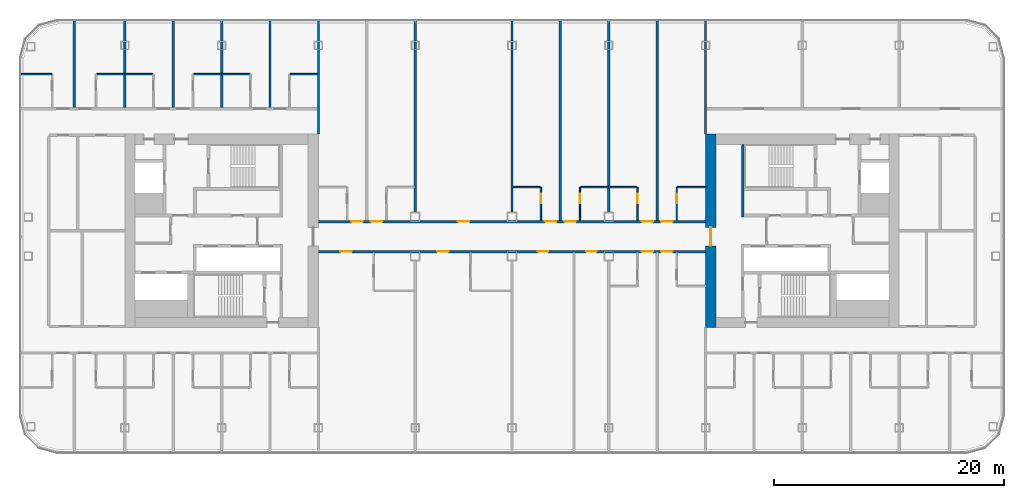
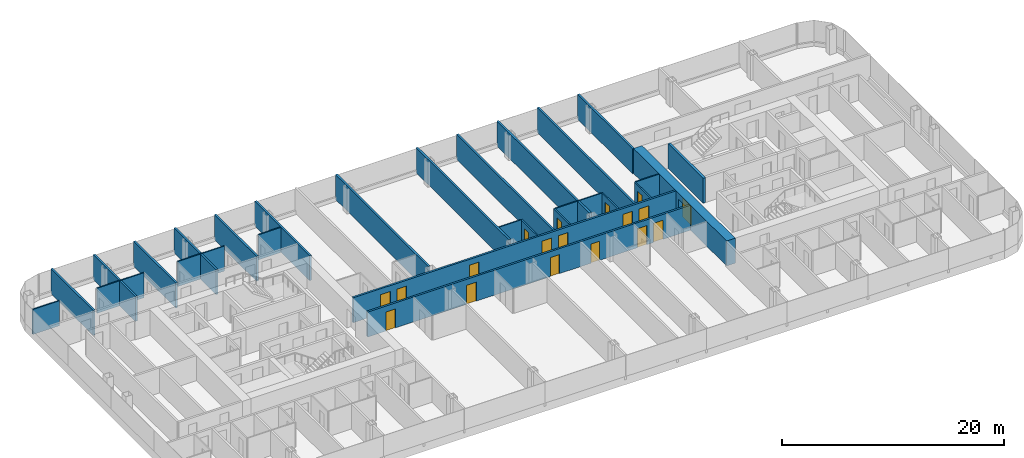
# One storey, part 15 of 26: 27 walls, 18 doors, 18 openings.
"""IFC4 building model written with IfcOpenShell, lengths in metres."""

import ifcopenshell
import ifcopenshell.guid

model = None  # the IFC model being written
_history = None  # IfcOwnerHistory: only IFC2X3 demands one
_inside = {}  # id of a spatial element -> (the spatial element, [elements in it])
_under = {}  # id of a project, library or spatial element -> (it, [spatial elements below it])
_declared = {}  # id of a project -> (the project, [libraries it declares])
_typed = {}  # id of a type object -> (the type object, [elements of that type])
_made_of = {}  # id of a material, layer set ... -> (it, [elements and type objects made of it])


def new_model(schema):
    """Start an empty IFC model of exactly this schema.

    Asked for "IFC4X3", IfcOpenShell would pick the latest addendum, in which some entities
    have other attributes; the version numbers below select the first issue.
    IFC2X3 requires an IfcOwnerHistory on every rooted entity: one is made here for all.
    """
    global model, _history
    if schema == "IFC4X3":
        model = ifcopenshell.file(schema_version=(4, 3, 0, 0))
    else:
        model = ifcopenshell.file(schema=schema)
    _inside.clear()
    _under.clear()
    _declared.clear()
    _typed.clear()
    _made_of.clear()
    _history = None
    if model.schema == "IFC2X3":
        org = make("IfcOrganization", Name="unknown")
        user = make(
            "IfcPersonAndOrganization",
            ThePerson=make("IfcPerson", FamilyName="unknown"),
            TheOrganization=org,
        )
        app = make(
            "IfcApplication",
            ApplicationDeveloper=org,
            Version="unknown",
            ApplicationFullName="unknown",
            ApplicationIdentifier="unknown",
        )
        _history = make(
            "IfcOwnerHistory",
            OwningUser=user,
            OwningApplication=app,
            ChangeAction="ADDED",
            CreationDate=0,
        )
    return model


def make(cls, **values):
    """One entity of the class cls with the attributes given. An attribute that is None is left unset."""
    return model.create_entity(
        cls, **{name: value for name, value in values.items() if value is not None}
    )


def rooted(cls, **values):
    """An entity with a GlobalId (a new one), such as an element, a storey or a relation."""
    return make(cls, GlobalId=ifcopenshell.guid.new(), OwnerHistory=_history, **values)


def si_unit(unit_type, name, prefix=None):
    """IfcSIUnit, for example si_unit("LENGTHUNIT", "METRE", prefix="MILLI")."""
    return make("IfcSIUnit", UnitType=unit_type, Prefix=prefix, Name=name)


def assignment(units):
    """IfcUnitAssignment: the units of a project."""
    return None if units is None else make("IfcUnitAssignment", Units=units)


def point(xyz):
    """IfcCartesianPoint."""
    return None if xyz is None else make("IfcCartesianPoint", Coordinates=xyz)


def direction(xyz):
    """IfcDirection."""
    return None if xyz is None else make("IfcDirection", DirectionRatios=xyz)


def frame(location, z_axis=None, x_axis=None):
    """IfcAxis2Placement3D, a coordinate frame: its origin and axes. An axis left out is left unset."""
    return make(
        "IfcAxis2Placement3D",
        Location=point(location),
        Axis=direction(z_axis),
        RefDirection=direction(x_axis),
    )


def frame_2d(location, x_axis=None):
    """IfcAxis2Placement2D, a coordinate frame in the plane: its origin and x axis."""
    return make(
        "IfcAxis2Placement2D", Location=point(location), RefDirection=direction(x_axis)
    )


def origin():
    """The frame at (0, 0, 0) with its axes left unset."""
    return frame((0.0, 0.0, 0.0))


def place(relative_to, where):
    """IfcLocalPlacement: puts the frame where relative to a parent placement (None: the world)."""
    return make(
        "IfcLocalPlacement", PlacementRelTo=relative_to, RelativePlacement=where
    )


def context(
    kind, dimensions, precision=None, world=None, true_north=None, identifier=None
):
    """IfcGeometricRepresentationContext, for example the 3D "Model" context."""
    return make(
        "IfcGeometricRepresentationContext",
        ContextIdentifier=identifier,
        ContextType=kind,
        CoordinateSpaceDimension=dimensions,
        Precision=precision,
        WorldCoordinateSystem=world,
        TrueNorth=true_north,
    )


def subcontext(parent, identifier, kind, view, scale=None):
    """IfcGeometricRepresentationSubContext, for example "Body" below "Model"."""
    return make(
        "IfcGeometricRepresentationSubContext",
        ContextIdentifier=identifier,
        ContextType=kind,
        ParentContext=parent,
        TargetScale=scale,
        TargetView=view,
    )


def project(units=None, contexts=None):
    """IfcProject with its units and contexts."""
    return rooted(
        "IfcProject",
        Name="project",
        RepresentationContexts=contexts,
        UnitsInContext=assignment(units),
    )


def spatial(cls, under=None, at=None, **own):
    """A site, building, storey or space (cls), placed at a placement, below another one or the project."""
    s = rooted(cls, ObjectPlacement=at, **own)
    if under is not None:
        _under.setdefault(under.id(), (under, []))[1].append(s)
    return s


def profile(cls, at=None, kind="AREA", **sizes):
    """A parametric profile (cls). Its sizes go by their IFC names, for example OverallWidth=200.0."""
    return make(cls, ProfileType=kind, Position=at, **sizes)


def rectangle(**sizes):
    """IfcRectangleProfileDef."""
    return profile("IfcRectangleProfileDef", **sizes)


def extrude(swept, where, along, depth):
    """IfcExtrudedAreaSolid: the profile swept, set in the frame where, extruded along a direction by depth."""
    return make(
        "IfcExtrudedAreaSolid",
        SweptArea=swept,
        Position=where,
        ExtrudedDirection=direction(along),
        Depth=depth,
    )


def shape(context_of_items, identifier, shape_type, items):
    """IfcShapeRepresentation: the items that make up one representation, for example the "Body"."""
    return make(
        "IfcShapeRepresentation",
        ContextOfItems=context_of_items,
        RepresentationIdentifier=identifier,
        RepresentationType=shape_type,
        Items=items,
    )


def material(Name=None, Category=None):
    """IfcMaterial."""
    return make("IfcMaterial", Name=Name, Category=Category)


def layer(
    of_material, thickness, ventilated=None, Name=None, Category=None, Priority=None
):
    """IfcMaterialLayer: one layer of a wall or slab, of a material (None: an air gap)."""
    return make(
        "IfcMaterialLayer",
        Material=of_material,
        LayerThickness=thickness,
        IsVentilated=ventilated,
        Name=Name,
        Category=Category,
        Priority=Priority,
    )


def layer_set(layers, Name=None):
    """IfcMaterialLayerSet."""
    return make("IfcMaterialLayerSet", MaterialLayers=layers, LayerSetName=Name)


def made_of(thing, what):
    """Note that an element or type object is made of a material, layer set ...; save() writes the relation."""
    if what is not None:
        _made_of.setdefault(what.id(), (what, []))[1].append(thing)
    return thing


def type_object(cls, material=None, **own):
    """A type object (cls), such as IfcWallType, which elements share."""
    return made_of(rooted(cls, **own), material)


def element(
    cls,
    number,
    at=None,
    inside=None,
    cuts=None,
    type_object=None,
    material=None,
    context=None,
    identifier="Body",
    shape_type=None,
    held_by="IfcProductDefinitionShape",
    body=None,
    shapes=None,
    **own,
):
    """One element of the class cls, such as IfcWall. Its Tag is "e" and its number.

    at: its placement. inside: the storey or other place that contains it. cuts: it is an
    opening in that element (IfcRelVoidsElement). A single representation is given by context,
    identifier, shape_type and body (its items); several are given by shapes. held_by: the class
    of the entity that holds the representations. save() writes the other relations.
    """
    e = rooted(cls, Tag="e%d" % number, ObjectPlacement=at, **own)
    if body is not None:
        shapes = [shape(context, identifier, shape_type, body)]
    if shapes is not None:
        e.Representation = make(held_by, Representations=shapes)
    if inside is not None:
        _inside.setdefault(inside.id(), (inside, []))[1].append(e)
    if cuts is not None:
        rooted(
            "IfcRelVoidsElement", RelatingBuildingElement=cuts, RelatedOpeningElement=e
        )
    if type_object is not None:
        _typed.setdefault(type_object.id(), (type_object, []))[1].append(e)
    return made_of(e, material)


def fill(opening, filler):
    """IfcRelFillsElement: the door or window that sits in an opening."""
    return rooted(
        "IfcRelFillsElement",
        RelatingOpeningElement=opening,
        RelatedBuildingElement=filler,
    )


def aggregate(whole, parts):
    """IfcRelAggregates: a whole, such as a stair, and the parts it consists of."""
    return rooted("IfcRelAggregates", RelatingObject=whole, RelatedObjects=parts)


def save(model, path):
    """Write the relations noted so far, then the file.

    IfcRelAggregates (storeys below a building ...), IfcRelContainedInSpatialStructure (elements
    in a storey), IfcRelDefinesByType, IfcRelAssociatesMaterial and IfcRelDeclares: one each for
    every whole, place, type object, material and project.
    """
    for whole, parts in _under.values():
        aggregate(whole, parts)
    for where, things in _inside.values():
        rooted(
            "IfcRelContainedInSpatialStructure",
            RelatedElements=things,
            RelatingStructure=where,
        )
    for kind, things in _typed.values():
        rooted("IfcRelDefinesByType", RelatedObjects=things, RelatingType=kind)
    for what, things in _made_of.values():
        rooted("IfcRelAssociatesMaterial", RelatedObjects=things, RelatingMaterial=what)
    for by, libraries in _declared.values():
        rooted("IfcRelDeclares", RelatingContext=by, RelatedDefinitions=libraries)
    model.write(path)


model = new_model("IFC4")

# Units and contexts
model_context = context("Model", 3, precision=1e-05, world=origin(), true_north=direction((0.0, 1.0)))
body_context = subcontext(model_context, "Body", "Model", "MODEL_VIEW")
ifc_project = project(units=[si_unit("LENGTHUNIT", "METRE"), si_unit("AREAUNIT", "SQUARE_METRE"), si_unit("VOLUMEUNIT", "CUBIC_METRE"), si_unit("PLANEANGLEUNIT", "RADIAN"), si_unit("MASSUNIT", "GRAM", prefix="KILO")], contexts=[model_context])

# Site, building, storey
site_placement = place(None, origin())
site = spatial("IfcSite", under=ifc_project, at=site_placement, CompositionType="ELEMENT")
building_placement = place(site_placement, origin())
building = spatial("IfcBuilding", under=site, at=building_placement, Name="Hakoniwa Tower and Hamabe Station Hall", CompositionType="ELEMENT")
storey_placement = place(building_placement, frame((0.0, 0.0, 134.199951171875)))
storey = spatial("IfcBuildingStorey", under=building, at=storey_placement, Name="L37", CompositionType="ELEMENT", Elevation=134.199951171875)

# Walls
ifc_material_1 = material(Name="Gypsum board partition", Category="gypsum")
ifc_layer_1 = layer(ifc_material_1, 0.125)
ifc_layer_set_1 = layer_set([ifc_layer_1], Name="Bathroom Partition 125")
wall_type_1 = type_object("IfcWallType", Name="Bathroom Partition 125", PredefinedType="PARTITIONING", material=ifc_layer_set_1)
wall_1_placement = place(storey_placement, frame((0.10009765625, 3.800048828125, 0.0), z_axis=(0.0, 0.0, 1.0), x_axis=(1.0, 0.0, 0.0)))
element("IfcWall", 1, at=wall_1_placement, inside=storey, type_object=wall_type_1, Name="GW-L37-023", PredefinedType="PARTITIONING", context=body_context, shape_type="SweptSolid", body=[
    extrude(rectangle(XDim=2.33740234375, YDim=0.125, at=frame_2d((1.168701171875, 0.0))), origin(), (0.0, 0.0, 1.0), 2.75),
])
wall_2_placement = place(storey_placement, frame((5.96240234375, 3.800048828125, 0.0), z_axis=(0.0, 0.0, 1.0), x_axis=(1.0, 0.0, 0.0)))
element("IfcWall", 2, at=wall_2_placement, inside=storey, type_object=wall_type_1, Name="GW-L37-024", PredefinedType="PARTITIONING", context=body_context, shape_type="SweptSolid", body=[
    extrude(rectangle(XDim=4.875, YDim=0.125, at=frame_2d((2.4375, 0.0))), origin(), (0.0, 0.0, 1.0), 2.75),
])
wall_3_placement = place(storey_placement, frame((14.362548828125, 3.800048828125, 0.0), z_axis=(0.0, 0.0, 1.0), x_axis=(1.0, 0.0, 0.0)))
element("IfcWall", 3, at=wall_3_placement, inside=storey, type_object=wall_type_1, Name="GW-L37-025", PredefinedType="PARTITIONING", context=body_context, shape_type="SweptSolid", body=[
    extrude(rectangle(XDim=2.447509765625, YDim=0.125, at=frame_2d((1.2236328125, 0.0))), origin(), (0.0, 0.0, 1.0), 2.75),
])
wall_4_placement = place(storey_placement, frame((-42.699951171875, 13.60009765625, 0.0), z_axis=(0.0, 0.0, 1.0), x_axis=(1.0, 0.0, 0.0)))
element("IfcWall", 4, at=wall_4_placement, inside=storey, type_object=wall_type_1, Name="GW-L37-030", PredefinedType="PARTITIONING", context=body_context, shape_type="SweptSolid", body=[
    extrude(rectangle(XDim=2.737548828125, YDim=0.125, at=frame_2d((1.36865234375, 0.0))), origin(), (0.0, 0.0, 1.0), 2.75),
])
for number, where, z_axis, x_axis, name in (
    (5, (-36.03759765625, 13.60009765625, 0.0), (0.0, 0.0, 1.0), (1.0, 0.0, 0.0), "GW-L37-031"),
    (6, (-27.637451171875, 13.60009765625, 0.0), (0.0, 0.0, 1.0), (1.0, 0.0, 0.0), "GW-L37-032"),
):
    element("IfcWall", number, at=place(storey_placement, frame(where, z_axis=z_axis, x_axis=x_axis)), inside=storey, type_object=wall_type_1, Name=name, PredefinedType="PARTITIONING", context=body_context, shape_type="SweptSolid", body=[
        extrude(rectangle(XDim=4.875, YDim=0.125, at=frame_2d((2.4375, 0.0))), origin(), (0.0, 0.0, 1.0), 2.75),
    ])
wall_5_placement = place(storey_placement, frame((-19.237548828125, 13.60009765625, 0.0), z_axis=(0.0, 0.0, 1.0), x_axis=(1.0, 0.0, 0.0)))
element("IfcWall", 7, at=wall_5_placement, inside=storey, type_object=wall_type_1, Name="GW-L37-033", PredefinedType="PARTITIONING", context=body_context, shape_type="SweptSolid", body=[
    extrude(rectangle(XDim=2.337646484375, YDim=0.125, at=frame_2d((1.1689453125, 0.0))), origin(), (0.0, 0.0, 1.0), 2.75),
])

# Wall, opening, door
wall_6_placement = place(storey_placement, frame((2.5, 0.89990234375, 0.0), z_axis=(0.0, 0.0, 1.0), x_axis=(0.0, 1.0, 0.0)))
wall_6 = element("IfcWall", 8, at=wall_6_placement, inside=storey, type_object=wall_type_1, Name="GW-L37-070", PredefinedType="PARTITIONING", context=body_context, shape_type="SweptSolid", body=[
    extrude(rectangle(XDim=2.900146484375, YDim=0.125, at=frame_2d((1.4501953125, 0.0))), origin(), (0.0, 0.0, 1.0), 2.75),
])
opening_1_placement = place(wall_6_placement, frame((1.5, 0.0, 0.0)))
opening_1 = element("IfcOpeningElement", 9, at=opening_1_placement, cuts=wall_6, Name="Opening GD-G3B0-59", PredefinedType="OPENING", context=body_context, shape_type="SweptSolid", body=[
    extrude(rectangle(XDim=0.800048828125, YDim=2.10009765625, at=frame_2d((0.39990234375, 1.050048828125))), frame((0.0, 0.072509765625, 0.0), z_axis=(0.0, -1.0, 0.0), x_axis=(1.0, 0.0, 0.0)), (0.0, 0.0, 1.0), 0.14501953125),
])
ifc_material_2 = material(Name="Timber door leaf", Category="wood")
door_type_1 = type_object("IfcDoorType", Name="Bathroom Door 800", OperationType="SINGLE_SWING_LEFT", PredefinedType="DOOR", material=ifc_material_2)
door_1_placement = place(opening_1_placement, origin())
door_1 = element("IfcDoor", 10, at=door_1_placement, inside=storey, type_object=door_type_1, Name="Door GD-G3B0-59", OperationType="SINGLE_SWING_LEFT", OverallHeight=2.10009765625, OverallWidth=0.800048828125, PredefinedType="DOOR", context=body_context, shape_type="SweptSolid", body=[
    extrude(rectangle(XDim=0.800048828125, YDim=2.10009765625, at=frame_2d((0.39990234375, 1.050048828125))), frame((0.0, 0.02490234375, 0.0), z_axis=(0.0, -1.0, 0.0), x_axis=(1.0, 0.0, 0.0)), (0.0, 0.0, 1.0), 0.050048828125),
])
fill(opening_1, door_1)

wall_7_placement = place(storey_placement, frame((5.89990234375, 0.89990234375, 0.0), z_axis=(0.0, 0.0, 1.0), x_axis=(0.0, 1.0, 0.0)))
wall_7 = element("IfcWall", 11, at=wall_7_placement, inside=storey, type_object=wall_type_1, Name="GW-L37-073", PredefinedType="PARTITIONING", context=body_context, shape_type="SweptSolid", body=[
    extrude(rectangle(XDim=2.900146484375, YDim=0.125, at=frame_2d((1.4501953125, 0.0))), origin(), (0.0, 0.0, 1.0), 2.75),
])
opening_2_placement = place(wall_7_placement, frame((1.5, 0.0, 0.0)))
opening_2 = element("IfcOpeningElement", 12, at=opening_2_placement, cuts=wall_7, Name="Opening GD-G3B0-60", PredefinedType="OPENING", context=body_context, shape_type="SweptSolid", body=[
    extrude(rectangle(XDim=0.800048828125, YDim=2.10009765625, at=frame_2d((0.39990234375, 1.050048828125))), frame((0.0, 0.072509765625, 0.0), z_axis=(0.0, -1.0, 0.0), x_axis=(1.0, 0.0, 0.0)), (0.0, 0.0, 1.0), 0.14501953125),
])
door_2_placement = place(opening_2_placement, origin())
door_2 = element("IfcDoor", 13, at=door_2_placement, inside=storey, type_object=door_type_1, Name="Door GD-G3B0-60", OperationType="SINGLE_SWING_RIGHT", OverallHeight=2.10009765625, OverallWidth=0.800048828125, PredefinedType="DOOR", context=body_context, shape_type="SweptSolid", body=[
    extrude(rectangle(XDim=0.800048828125, YDim=2.10009765625, at=frame_2d((0.39990234375, 1.050048828125))), frame((0.0, 0.02490234375, 0.0), z_axis=(0.0, -1.0, 0.0), x_axis=(1.0, 0.0, 0.0)), (0.0, 0.0, 1.0), 0.050048828125),
])
fill(opening_2, door_2)

wall_8_placement = place(storey_placement, frame((10.89990234375, 0.89990234375, 0.0), z_axis=(0.0, 0.0, 1.0), x_axis=(0.0, 1.0, 0.0)))
wall_8 = element("IfcWall", 14, at=wall_8_placement, inside=storey, type_object=wall_type_1, Name="GW-L37-077", PredefinedType="PARTITIONING", context=body_context, shape_type="SweptSolid", body=[
    extrude(rectangle(XDim=2.900146484375, YDim=0.125, at=frame_2d((1.4501953125, 0.0))), origin(), (0.0, 0.0, 1.0), 2.75),
])
opening_3_placement = place(wall_8_placement, frame((1.5, 0.0, 0.0)))
opening_3 = element("IfcOpeningElement", 15, at=opening_3_placement, cuts=wall_8, Name="Opening GD-G3B0-62", PredefinedType="OPENING", context=body_context, shape_type="SweptSolid", body=[
    extrude(rectangle(XDim=0.800048828125, YDim=2.10009765625, at=frame_2d((0.39990234375, 1.050048828125))), frame((0.0, 0.072509765625, 0.0), z_axis=(0.0, -1.0, 0.0), x_axis=(1.0, 0.0, 0.0)), (0.0, 0.0, 1.0), 0.14501953125),
])
door_3_placement = place(opening_3_placement, origin())
door_3 = element("IfcDoor", 16, at=door_3_placement, inside=storey, type_object=door_type_1, Name="Door GD-G3B0-62", OperationType="SINGLE_SWING_LEFT", OverallHeight=2.10009765625, OverallWidth=0.800048828125, PredefinedType="DOOR", context=body_context, shape_type="SweptSolid", body=[
    extrude(rectangle(XDim=0.800048828125, YDim=2.10009765625, at=frame_2d((0.39990234375, 1.050048828125))), frame((0.0, 0.02490234375, 0.0), z_axis=(0.0, -1.0, 0.0), x_axis=(1.0, 0.0, 0.0)), (0.0, 0.0, 1.0), 0.050048828125),
])
fill(opening_3, door_3)

wall_9_placement = place(storey_placement, frame((14.300048828125, 0.89990234375, 0.0), z_axis=(0.0, 0.0, 1.0), x_axis=(0.0, 1.0, 0.0)))
wall_9 = element("IfcWall", 17, at=wall_9_placement, inside=storey, type_object=wall_type_1, Name="GW-L37-081", PredefinedType="PARTITIONING", context=body_context, shape_type="SweptSolid", body=[
    extrude(rectangle(XDim=2.900146484375, YDim=0.125, at=frame_2d((1.4501953125, 0.0))), origin(), (0.0, 0.0, 1.0), 2.75),
])
opening_4_placement = place(wall_9_placement, frame((1.5, 0.0, 0.0)))
opening_4 = element("IfcOpeningElement", 18, at=opening_4_placement, cuts=wall_9, Name="Opening GD-G3B0-64", PredefinedType="OPENING", context=body_context, shape_type="SweptSolid", body=[
    extrude(rectangle(XDim=0.800048828125, YDim=2.10009765625, at=frame_2d((0.39990234375, 1.050048828125))), frame((0.0, 0.072509765625, 0.0), z_axis=(0.0, -1.0, 0.0), x_axis=(1.0, 0.0, 0.0)), (0.0, 0.0, 1.0), 0.14501953125),
])
door_4_placement = place(opening_4_placement, origin())
door_4 = element("IfcDoor", 19, at=door_4_placement, inside=storey, type_object=door_type_1, Name="Door GD-G3B0-64", OperationType="SINGLE_SWING_RIGHT", OverallHeight=2.10009765625, OverallWidth=0.800048828125, PredefinedType="DOOR", context=body_context, shape_type="SweptSolid", body=[
    extrude(rectangle(XDim=0.800048828125, YDim=2.10009765625, at=frame_2d((0.39990234375, 1.050048828125))), frame((0.0, 0.02490234375, 0.0), z_axis=(0.0, -1.0, 0.0), x_axis=(1.0, 0.0, 0.0)), (0.0, 0.0, 1.0), 0.050048828125),
])
fill(opening_4, door_4)

ifc_material_3 = material(Name="Concrete C66", Category="concrete")
ifc_layer_2 = layer(ifc_material_3, 0.89990234375)
ifc_layer_set_2 = layer_set([ifc_layer_2], Name="CORE WALL 900 C66")
wall_type_2 = type_object("IfcWallType", Name="CORE WALL 900 C66", PredefinedType="SHEAR", material=ifc_layer_set_2)
wall_10_placement = place(storey_placement, frame((17.25, -8.39990234375, 0.0), z_axis=(0.0, 0.0, 1.0), x_axis=(0.0, 1.0, 0.0)))
wall_10 = element("IfcWall", 20, at=wall_10_placement, inside=storey, type_object=wall_type_2, Name="Core wall INNER east", PredefinedType="SHEAR", context=body_context, shape_type="SweptSolid", body=[
    extrude(rectangle(XDim=16.7998046875, YDim=0.89990234375, at=frame_2d((8.39990234375, 0.0))), origin(), (0.0, 0.0, 1.0), 2.75),
])
opening_5_placement = place(wall_10_placement, frame((7.10009765625, 0.0, 0.0)))
opening_5 = element("IfcOpeningElement", 21, at=opening_5_placement, cuts=wall_10, Name="Opening CD-E-IN1-16", PredefinedType="OPENING", context=body_context, shape_type="SweptSolid", body=[
    extrude(rectangle(XDim=1.60009765625, YDim=2.10009765625, at=frame_2d((0.800048828125, 1.050048828125))), frame((0.0, 0.4599609375, 0.0), z_axis=(0.0, -1.0, 0.0), x_axis=(1.0, 0.0, 0.0)), (0.0, 0.0, 1.0), 0.919921875),
])
ifc_material_4 = material(Name="Steel fire door", Category="steel")
door_type_2 = type_object("IfcDoorType", Name="CORE DOOR 1600 FD60", OperationType="DOUBLE_DOOR_SINGLE_SWING", PredefinedType="DOOR", material=ifc_material_4)
door_5_placement = place(opening_5_placement, origin())
door_5 = element("IfcDoor", 22, at=door_5_placement, inside=storey, type_object=door_type_2, Name="Lift lobby door", OperationType="DOUBLE_DOOR_SINGLE_SWING", OverallHeight=2.10009765625, OverallWidth=1.60009765625, PredefinedType="DOOR", context=body_context, shape_type="SweptSolid", body=[
    extrude(rectangle(XDim=1.60009765625, YDim=2.10009765625, at=frame_2d((0.800048828125, 1.050048828125))), frame((0.0, 0.02490234375, 0.0), z_axis=(0.0, -1.0, 0.0), x_axis=(1.0, 0.0, 0.0)), (0.0, 0.0, 1.0), 0.050048828125),
])
fill(opening_5, door_5)

# Wall
ifc_material_5 = material(Name="Concrete C66", Category="concrete")
ifc_layer_3 = layer(ifc_material_5, 0.25)
ifc_layer_set_3 = layer_set([ifc_layer_3], Name="CORE WEB WALL 250 C66")
wall_type_3 = type_object("IfcWallType", Name="CORE WEB WALL 250 C66", PredefinedType="SHEAR", material=ifc_layer_set_3)
wall_11_placement = place(storey_placement, frame((20.02490234375, 1.199951171875, 0.0), z_axis=(0.0, 0.0, 1.0), x_axis=(0.0, 1.0, 0.0)))
element("IfcWall", 23, at=wall_11_placement, inside=storey, type_object=wall_type_3, Name="Core wall W1N east", PredefinedType="SHEAR", context=body_context, shape_type="SweptSolid", body=[
    extrude(rectangle(XDim=6.300048828125, YDim=0.25, at=frame_2d((3.14990234375, 0.0))), origin(), (0.0, 0.0, 1.0), 2.75),
])

# Wall, openings, doors
ifc_material_6 = material(Name="Fire-rated gypsum board partition", Category="gypsum")
ifc_layer_4 = layer(ifc_material_6, 0.199951171875)
ifc_layer_set_4 = layer_set([ifc_layer_4], Name="Corridor Wall 200")
wall_type_4 = type_object("IfcWallType", Name="Corridor Wall 200", PredefinedType="PARTITIONING", material=ifc_layer_set_4)
wall_12_placement = place(storey_placement, frame((-16.800048828125, -1.800048828125, 0.0), z_axis=(0.0, 0.0, 1.0), x_axis=(1.0, 0.0, 0.0)))
wall_12 = element("IfcWall", 24, at=wall_12_placement, inside=storey, type_object=wall_type_4, Name="GW-L37-017", PredefinedType="PARTITIONING", context=body_context, shape_type="SweptSolid", body=[
    extrude(rectangle(XDim=33.60009765625, YDim=0.199951171875, at=frame_2d((16.800048828125, 0.0))), origin(), (0.0, 0.0, 1.0), 2.75),
])
opening_6_placement = place(wall_12_placement, frame((1.89990234375, 0.0, 0.0)))
opening_6 = element("IfcOpeningElement", 25, at=opening_6_placement, cuts=wall_12, Name="Opening GD-G3B0-17", PredefinedType="OPENING", context=body_context, shape_type="SweptSolid", body=[
    extrude(rectangle(XDim=1.0, YDim=2.10009765625, at=frame_2d((0.5, 1.050048828125))), frame((0.0, 0.10986328125, 0.0), z_axis=(0.0, -1.0, 0.0), x_axis=(1.0, 0.0, 0.0)), (0.0, 0.0, 1.0), 0.219970703125),
])
opening_7_placement = place(wall_12_placement, frame((10.300048828125, 0.0, 0.0)))
opening_7 = element("IfcOpeningElement", 26, at=opening_7_placement, cuts=wall_12, Name="Opening GD-G3B0-18", PredefinedType="OPENING", context=body_context, shape_type="SweptSolid", body=[
    extrude(rectangle(XDim=1.0, YDim=2.10009765625, at=frame_2d((0.5, 1.050048828125))), frame((0.0, 0.10986328125, 0.0), z_axis=(0.0, -1.0, 0.0), x_axis=(1.0, 0.0, 0.0)), (0.0, 0.0, 1.0), 0.219970703125),
])
opening_8_placement = place(wall_12_placement, frame((19.0400390625, 0.0, 0.0)))
opening_8 = element("IfcOpeningElement", 27, at=opening_8_placement, cuts=wall_12, Name="Opening GD-G3B0-19", PredefinedType="OPENING", context=body_context, shape_type="SweptSolid", body=[
    extrude(rectangle(XDim=0.89990234375, YDim=2.10009765625, at=frame_2d((0.449951171875, 1.050048828125))), frame((0.0, 0.10986328125, 0.0), z_axis=(0.0, -1.0, 0.0), x_axis=(1.0, 0.0, 0.0)), (0.0, 0.0, 1.0), 0.219970703125),
])
opening_9_placement = place(wall_12_placement, frame((23.239990234375, 0.0, 0.0)))
opening_9 = element("IfcOpeningElement", 28, at=opening_9_placement, cuts=wall_12, Name="Opening GD-G3B0-20", PredefinedType="OPENING", context=body_context, shape_type="SweptSolid", body=[
    extrude(rectangle(XDim=0.89990234375, YDim=2.10009765625, at=frame_2d((0.449951171875, 1.050048828125))), frame((0.0, 0.10986328125, 0.0), z_axis=(0.0, -1.0, 0.0), x_axis=(1.0, 0.0, 0.0)), (0.0, 0.0, 1.0), 0.219970703125),
])
opening_10_placement = place(wall_12_placement, frame((28.050048828125, 0.0, 0.0)))
opening_10 = element("IfcOpeningElement", 29, at=opening_10_placement, cuts=wall_12, Name="Opening GD-G3B0-21", PredefinedType="OPENING", context=body_context, shape_type="SweptSolid", body=[
    extrude(rectangle(XDim=1.0, YDim=2.10009765625, at=frame_2d((0.5, 1.050048828125))), frame((0.0, 0.10986328125, 0.0), z_axis=(0.0, -1.0, 0.0), x_axis=(1.0, 0.0, 0.0)), (0.0, 0.0, 1.0), 0.219970703125),
])
opening_11_placement = place(wall_12_placement, frame((29.75, 0.0, 0.0)))
opening_11 = element("IfcOpeningElement", 30, at=opening_11_placement, cuts=wall_12, Name="Opening GD-G3B0-22", PredefinedType="OPENING", context=body_context, shape_type="SweptSolid", body=[
    extrude(rectangle(XDim=1.0, YDim=2.10009765625, at=frame_2d((0.5, 1.050048828125))), frame((0.0, 0.10986328125, 0.0), z_axis=(0.0, -1.0, 0.0), x_axis=(1.0, 0.0, 0.0)), (0.0, 0.0, 1.0), 0.219970703125),
])
ifc_material_7 = material(Name="Timber door leaf", Category="wood")
door_type_3 = type_object("IfcDoorType", Name="Accessible Guest Entrance Door 1000", OperationType="SINGLE_SWING_LEFT", PredefinedType="DOOR", material=ifc_material_7)
door_6_placement = place(opening_6_placement, origin())
door_6 = element("IfcDoor", 31, at=door_6_placement, inside=storey, type_object=door_type_3, Name="Door GD-G3B0-17", OperationType="SINGLE_SWING_RIGHT", OverallHeight=2.10009765625, OverallWidth=1.0, PredefinedType="DOOR", context=body_context, shape_type="SweptSolid", body=[
    extrude(rectangle(XDim=1.0, YDim=2.10009765625, at=frame_2d((0.5, 1.050048828125))), frame((0.0, 0.02490234375, 0.0), z_axis=(0.0, -1.0, 0.0), x_axis=(1.0, 0.0, 0.0)), (0.0, 0.0, 1.0), 0.050048828125),
])
fill(opening_6, door_6)
door_7_placement = place(opening_7_placement, origin())
door_7 = element("IfcDoor", 32, at=door_7_placement, inside=storey, type_object=door_type_3, Name="Door GD-G3B0-18", OperationType="SINGLE_SWING_LEFT", OverallHeight=2.10009765625, OverallWidth=1.0, PredefinedType="DOOR", context=body_context, shape_type="SweptSolid", body=[
    extrude(rectangle(XDim=1.0, YDim=2.10009765625, at=frame_2d((0.5, 1.050048828125))), frame((0.0, 0.02490234375, 0.0), z_axis=(0.0, -1.0, 0.0), x_axis=(1.0, 0.0, 0.0)), (0.0, 0.0, 1.0), 0.050048828125),
])
fill(opening_7, door_7)
ifc_material_8 = material(Name="Timber door leaf", Category="wood")
door_type_4 = type_object("IfcDoorType", Name="Guest Entrance Door 1000", OperationType="SINGLE_SWING_LEFT", PredefinedType="DOOR", material=ifc_material_8)
door_8_placement = place(opening_10_placement, origin())
door_8 = element("IfcDoor", 33, at=door_8_placement, inside=storey, type_object=door_type_4, Name="Door GD-G3B0-21", OperationType="SINGLE_SWING_LEFT", OverallHeight=2.10009765625, OverallWidth=1.0, PredefinedType="DOOR", context=body_context, shape_type="SweptSolid", body=[
    extrude(rectangle(XDim=1.0, YDim=2.10009765625, at=frame_2d((0.5, 1.050048828125))), frame((0.0, 0.02490234375, 0.0), z_axis=(0.0, -1.0, 0.0), x_axis=(1.0, 0.0, 0.0)), (0.0, 0.0, 1.0), 0.050048828125),
])
fill(opening_10, door_8)
door_9_placement = place(opening_11_placement, origin())
door_9 = element("IfcDoor", 34, at=door_9_placement, inside=storey, type_object=door_type_4, Name="Door GD-G3B0-22", OperationType="SINGLE_SWING_RIGHT", OverallHeight=2.10009765625, OverallWidth=1.0, PredefinedType="DOOR", context=body_context, shape_type="SweptSolid", body=[
    extrude(rectangle(XDim=1.0, YDim=2.10009765625, at=frame_2d((0.5, 1.050048828125))), frame((0.0, 0.02490234375, 0.0), z_axis=(0.0, -1.0, 0.0), x_axis=(1.0, 0.0, 0.0)), (0.0, 0.0, 1.0), 0.050048828125),
])
fill(opening_11, door_9)
ifc_material_9 = material(Name="Timber door leaf", Category="wood")
door_type_5 = type_object("IfcDoorType", Name="Service Door 900", OperationType="SINGLE_SWING_LEFT", PredefinedType="DOOR", material=ifc_material_9)
door_10_placement = place(opening_8_placement, origin())
door_10 = element("IfcDoor", 35, at=door_10_placement, inside=storey, type_object=door_type_5, Name="Door GD-G3B0-19", OperationType="SINGLE_SWING_RIGHT", OverallHeight=2.10009765625, OverallWidth=0.89990234375, PredefinedType="DOOR", context=body_context, shape_type="SweptSolid", body=[
    extrude(rectangle(XDim=0.89990234375, YDim=2.10009765625, at=frame_2d((0.449951171875, 1.050048828125))), frame((0.0, 0.02490234375, 0.0), z_axis=(0.0, -1.0, 0.0), x_axis=(1.0, 0.0, 0.0)), (0.0, 0.0, 1.0), 0.050048828125),
])
fill(opening_8, door_10)
door_11_placement = place(opening_9_placement, origin())
door_11 = element("IfcDoor", 36, at=door_11_placement, inside=storey, type_object=door_type_5, Name="Door GD-G3B0-20", OperationType="SINGLE_SWING_LEFT", OverallHeight=2.10009765625, OverallWidth=0.89990234375, PredefinedType="DOOR", context=body_context, shape_type="SweptSolid", body=[
    extrude(rectangle(XDim=0.89990234375, YDim=2.10009765625, at=frame_2d((0.449951171875, 1.050048828125))), frame((0.0, 0.02490234375, 0.0), z_axis=(0.0, -1.0, 0.0), x_axis=(1.0, 0.0, 0.0)), (0.0, 0.0, 1.0), 0.050048828125),
])
fill(opening_9, door_11)

wall_13_placement = place(storey_placement, frame((-16.800048828125, 0.800048828125, 0.0), z_axis=(0.0, 0.0, 1.0), x_axis=(1.0, 0.0, 0.0)))
wall_13 = element("IfcWall", 37, at=wall_13_placement, inside=storey, type_object=wall_type_4, Name="GW-L37-020", PredefinedType="PARTITIONING", context=body_context, shape_type="SweptSolid", body=[
    extrude(rectangle(XDim=33.60009765625, YDim=0.199951171875, at=frame_2d((16.800048828125, 0.0))), origin(), (0.0, 0.0, 1.0), 2.75),
])
opening_12_placement = place(wall_13_placement, frame((2.85009765625, 0.0, 0.0)))
opening_12 = element("IfcOpeningElement", 38, at=opening_12_placement, cuts=wall_13, Name="Opening GD-G3B0-23", PredefinedType="OPENING", context=body_context, shape_type="SweptSolid", body=[
    extrude(rectangle(XDim=1.0, YDim=2.10009765625, at=frame_2d((0.5, 1.050048828125))), frame((0.0, 0.10986328125, 0.0), z_axis=(0.0, -1.0, 0.0), x_axis=(1.0, 0.0, 0.0)), (0.0, 0.0, 1.0), 0.219970703125),
])
opening_13_placement = place(wall_13_placement, frame((4.550048828125, 0.0, 0.0)))
opening_13 = element("IfcOpeningElement", 39, at=opening_13_placement, cuts=wall_13, Name="Opening GD-G3B0-24", PredefinedType="OPENING", context=body_context, shape_type="SweptSolid", body=[
    extrude(rectangle(XDim=1.0, YDim=2.10009765625, at=frame_2d((0.5, 1.050048828125))), frame((0.0, 0.10986328125, 0.0), z_axis=(0.0, -1.0, 0.0), x_axis=(1.0, 0.0, 0.0)), (0.0, 0.0, 1.0), 0.219970703125),
])
opening_14_placement = place(wall_13_placement, frame((12.10009765625, 0.0, 0.0)))
opening_14 = element("IfcOpeningElement", 40, at=opening_14_placement, cuts=wall_13, Name="Opening GD-G3B0-25", PredefinedType="OPENING", context=body_context, shape_type="SweptSolid", body=[
    extrude(rectangle(XDim=1.0, YDim=2.10009765625, at=frame_2d((0.5, 1.050048828125))), frame((0.0, 0.10986328125, 0.0), z_axis=(0.0, -1.0, 0.0), x_axis=(1.0, 0.0, 0.0)), (0.0, 0.0, 1.0), 0.219970703125),
])
opening_15_placement = place(wall_13_placement, frame((19.64990234375, 0.0, 0.0)))
opening_15 = element("IfcOpeningElement", 41, at=opening_15_placement, cuts=wall_13, Name="Opening GD-G3B0-26", PredefinedType="OPENING", context=body_context, shape_type="SweptSolid", body=[
    extrude(rectangle(XDim=1.0, YDim=2.10009765625, at=frame_2d((0.5, 1.050048828125))), frame((0.0, 0.10986328125, 0.0), z_axis=(0.0, -1.0, 0.0), x_axis=(1.0, 0.0, 0.0)), (0.0, 0.0, 1.0), 0.219970703125),
])
opening_16_placement = place(wall_13_placement, frame((21.35009765625, 0.0, 0.0)))
opening_16 = element("IfcOpeningElement", 42, at=opening_16_placement, cuts=wall_13, Name="Opening GD-G3B0-27", PredefinedType="OPENING", context=body_context, shape_type="SweptSolid", body=[
    extrude(rectangle(XDim=1.0, YDim=2.10009765625, at=frame_2d((0.5, 1.050048828125))), frame((0.0, 0.10986328125, 0.0), z_axis=(0.0, -1.0, 0.0), x_axis=(1.0, 0.0, 0.0)), (0.0, 0.0, 1.0), 0.219970703125),
])
opening_17_placement = place(wall_13_placement, frame((28.050048828125, 0.0, 0.0)))
opening_17 = element("IfcOpeningElement", 43, at=opening_17_placement, cuts=wall_13, Name="Opening GD-G3B0-28", PredefinedType="OPENING", context=body_context, shape_type="SweptSolid", body=[
    extrude(rectangle(XDim=1.0, YDim=2.10009765625, at=frame_2d((0.5, 1.050048828125))), frame((0.0, 0.10986328125, 0.0), z_axis=(0.0, -1.0, 0.0), x_axis=(1.0, 0.0, 0.0)), (0.0, 0.0, 1.0), 0.219970703125),
])
opening_18_placement = place(wall_13_placement, frame((29.75, 0.0, 0.0)))
opening_18 = element("IfcOpeningElement", 44, at=opening_18_placement, cuts=wall_13, Name="Opening GD-G3B0-29", PredefinedType="OPENING", context=body_context, shape_type="SweptSolid", body=[
    extrude(rectangle(XDim=1.0, YDim=2.10009765625, at=frame_2d((0.5, 1.050048828125))), frame((0.0, 0.10986328125, 0.0), z_axis=(0.0, -1.0, 0.0), x_axis=(1.0, 0.0, 0.0)), (0.0, 0.0, 1.0), 0.219970703125),
])
door_12_placement = place(opening_12_placement, origin())
door_12 = element("IfcDoor", 45, at=door_12_placement, inside=storey, type_object=door_type_4, Name="Door GD-G3B0-23", OperationType="SINGLE_SWING_RIGHT", OverallHeight=2.10009765625, OverallWidth=1.0, PredefinedType="DOOR", context=body_context, shape_type="SweptSolid", body=[
    extrude(rectangle(XDim=1.0, YDim=2.10009765625, at=frame_2d((0.5, 1.050048828125))), frame((0.0, 0.02490234375, 0.0), z_axis=(0.0, -1.0, 0.0), x_axis=(1.0, 0.0, 0.0)), (0.0, 0.0, 1.0), 0.050048828125),
])
fill(opening_12, door_12)
door_13_placement = place(opening_13_placement, origin())
door_13 = element("IfcDoor", 46, at=door_13_placement, inside=storey, type_object=door_type_4, Name="Door GD-G3B0-24", OperationType="SINGLE_SWING_LEFT", OverallHeight=2.10009765625, OverallWidth=1.0, PredefinedType="DOOR", context=body_context, shape_type="SweptSolid", body=[
    extrude(rectangle(XDim=1.0, YDim=2.10009765625, at=frame_2d((0.5, 1.050048828125))), frame((0.0, 0.02490234375, 0.0), z_axis=(0.0, -1.0, 0.0), x_axis=(1.0, 0.0, 0.0)), (0.0, 0.0, 1.0), 0.050048828125),
])
fill(opening_13, door_13)
door_14_placement = place(opening_14_placement, origin())
door_14 = element("IfcDoor", 47, at=door_14_placement, inside=storey, type_object=door_type_4, Name="Door GD-G3B0-25", OperationType="SINGLE_SWING_RIGHT", OverallHeight=2.10009765625, OverallWidth=1.0, PredefinedType="DOOR", context=body_context, shape_type="SweptSolid", body=[
    extrude(rectangle(XDim=1.0, YDim=2.10009765625, at=frame_2d((0.5, 1.050048828125))), frame((0.0, 0.02490234375, 0.0), z_axis=(0.0, -1.0, 0.0), x_axis=(1.0, 0.0, 0.0)), (0.0, 0.0, 1.0), 0.050048828125),
])
fill(opening_14, door_14)
door_15_placement = place(opening_15_placement, origin())
door_15 = element("IfcDoor", 48, at=door_15_placement, inside=storey, type_object=door_type_4, Name="Door GD-G3B0-26", OperationType="SINGLE_SWING_LEFT", OverallHeight=2.10009765625, OverallWidth=1.0, PredefinedType="DOOR", context=body_context, shape_type="SweptSolid", body=[
    extrude(rectangle(XDim=1.0, YDim=2.10009765625, at=frame_2d((0.5, 1.050048828125))), frame((0.0, 0.02490234375, 0.0), z_axis=(0.0, -1.0, 0.0), x_axis=(1.0, 0.0, 0.0)), (0.0, 0.0, 1.0), 0.050048828125),
])
fill(opening_15, door_15)
door_16_placement = place(opening_16_placement, origin())
door_16 = element("IfcDoor", 49, at=door_16_placement, inside=storey, type_object=door_type_4, Name="Door GD-G3B0-27", OperationType="SINGLE_SWING_RIGHT", OverallHeight=2.10009765625, OverallWidth=1.0, PredefinedType="DOOR", context=body_context, shape_type="SweptSolid", body=[
    extrude(rectangle(XDim=1.0, YDim=2.10009765625, at=frame_2d((0.5, 1.050048828125))), frame((0.0, 0.02490234375, 0.0), z_axis=(0.0, -1.0, 0.0), x_axis=(1.0, 0.0, 0.0)), (0.0, 0.0, 1.0), 0.050048828125),
])
fill(opening_16, door_16)
door_17_placement = place(opening_17_placement, origin())
door_17 = element("IfcDoor", 50, at=door_17_placement, inside=storey, type_object=door_type_4, Name="Door GD-G3B0-28", OperationType="SINGLE_SWING_LEFT", OverallHeight=2.10009765625, OverallWidth=1.0, PredefinedType="DOOR", context=body_context, shape_type="SweptSolid", body=[
    extrude(rectangle(XDim=1.0, YDim=2.10009765625, at=frame_2d((0.5, 1.050048828125))), frame((0.0, 0.02490234375, 0.0), z_axis=(0.0, -1.0, 0.0), x_axis=(1.0, 0.0, 0.0)), (0.0, 0.0, 1.0), 0.050048828125),
])
fill(opening_17, door_17)
door_18_placement = place(opening_18_placement, origin())
door_18 = element("IfcDoor", 51, at=door_18_placement, inside=storey, type_object=door_type_4, Name="Door GD-G3B0-29", OperationType="SINGLE_SWING_RIGHT", OverallHeight=2.10009765625, OverallWidth=1.0, PredefinedType="DOOR", context=body_context, shape_type="SweptSolid", body=[
    extrude(rectangle(XDim=1.0, YDim=2.10009765625, at=frame_2d((0.5, 1.050048828125))), frame((0.0, 0.02490234375, 0.0), z_axis=(0.0, -1.0, 0.0), x_axis=(1.0, 0.0, 0.0)), (0.0, 0.0, 1.0), 0.050048828125),
])
fill(opening_18, door_18)

# Walls
ifc_material_10 = material(Name="Fire-rated gypsum board partition", Category="gypsum")
ifc_layer_5 = layer(ifc_material_10, 0.199951171875)
ifc_layer_set_5 = layer_set([ifc_layer_5], Name="Party Wall 200")
wall_type_5 = type_object("IfcWallType", Name="Party Wall 200", PredefinedType="PARTITIONING", material=ifc_layer_set_5)
for number, where, z_axis, x_axis, name in (
    (52, (-38.0, 10.699951171875, 0.0), (0.0, 0.0, 1.0), (0.0, 1.0, 0.0), "GW-L37-038"),
    (53, (-33.60009765625, 10.699951171875, 0.0), (0.0, 0.0, 1.0), (0.0, 1.0, 0.0), "GW-L37-044"),
    (54, (-29.39990234375, 10.699951171875, 0.0), (0.0, 0.0, 1.0), (0.0, 1.0, 0.0), "GW-L37-048"),
    (55, (-25.199951171875, 10.699951171875, 0.0), (0.0, 0.0, 1.0), (0.0, 1.0, 0.0), "GW-L37-052"),
    (56, (-21.0, 10.699951171875, 0.0), (0.0, 0.0, 1.0), (0.0, 1.0, 0.0), "GW-L37-056"),
):
    element("IfcWall", number, at=place(storey_placement, frame(where, z_axis=z_axis, x_axis=x_axis)), inside=storey, type_object=wall_type_5, Name=name, PredefinedType="PARTITIONING", context=body_context, shape_type="SweptSolid", body=[
        extrude(rectangle(XDim=7.60009765625, YDim=0.199951171875, at=frame_2d((3.800048828125, 0.0))), origin(), (0.0, 0.0, 1.0), 2.75),
    ])
wall_14_placement = place(storey_placement, frame((-16.800048828125, 8.389892578125, 0.0), z_axis=(0.0, 0.0, 1.0), x_axis=(0.0, 1.0, 0.0)))
element("IfcWall", 57, at=wall_14_placement, inside=storey, type_object=wall_type_5, Name="GW-L37-060", PredefinedType="PARTITIONING", context=body_context, shape_type="SweptSolid", body=[
    extrude(rectangle(XDim=9.91015625, YDim=0.199951171875, at=frame_2d((4.955078125, 0.0))), origin(), (0.0, 0.0, 1.0), 2.75),
])
for number, where, z_axis, x_axis, name in (
    (58, (-8.39990234375, 1.590087890625, 0.0), (0.0, 0.0, 1.0), (0.0, 1.0, 0.0), "GW-L37-066"),
    (59, (0.0, 1.590087890625, 0.0), (0.0, 0.0, 1.0), (0.0, 1.0, 0.0), "GW-L37-069"),
):
    element("IfcWall", number, at=place(storey_placement, frame(where, z_axis=z_axis, x_axis=x_axis)), inside=storey, type_object=wall_type_5, Name=name, PredefinedType="PARTITIONING", context=body_context, shape_type="SweptSolid", body=[
        extrude(rectangle(XDim=16.7099609375, YDim=0.199951171875, at=frame_2d((8.35498046875, 0.0))), origin(), (0.0, 0.0, 1.0), 2.75),
    ])
wall_15_placement = place(storey_placement, frame((4.199951171875, 0.89990234375, 0.0), z_axis=(0.0, 0.0, 1.0), x_axis=(0.0, 1.0, 0.0)))
element("IfcWall", 60, at=wall_15_placement, inside=storey, type_object=wall_type_5, Name="GW-L37-071", PredefinedType="PARTITIONING", context=body_context, shape_type="SweptSolid", body=[
    extrude(rectangle(XDim=17.400146484375, YDim=0.199951171875, at=frame_2d((8.7001953125, 0.0))), origin(), (0.0, 0.0, 1.0), 2.75),
])
wall_16_placement = place(storey_placement, frame((8.39990234375, 1.590087890625, 0.0), z_axis=(0.0, 0.0, 1.0), x_axis=(0.0, 1.0, 0.0)))
element("IfcWall", 61, at=wall_16_placement, inside=storey, type_object=wall_type_5, Name="GW-L37-075", PredefinedType="PARTITIONING", context=body_context, shape_type="SweptSolid", body=[
    extrude(rectangle(XDim=16.7099609375, YDim=0.199951171875, at=frame_2d((8.35498046875, 0.0))), origin(), (0.0, 0.0, 1.0), 2.75),
])
wall_17_placement = place(storey_placement, frame((12.60009765625, 0.89990234375, 0.0), z_axis=(0.0, 0.0, 1.0), x_axis=(0.0, 1.0, 0.0)))
element("IfcWall", 62, at=wall_17_placement, inside=storey, type_object=wall_type_5, Name="GW-L37-079", PredefinedType="PARTITIONING", context=body_context, shape_type="SweptSolid", body=[
    extrude(rectangle(XDim=17.400146484375, YDim=0.199951171875, at=frame_2d((8.7001953125, 0.0))), origin(), (0.0, 0.0, 1.0), 2.75),
])
wall_18_placement = place(storey_placement, frame((16.800048828125, 8.389892578125, 0.0), z_axis=(0.0, 0.0, 1.0), x_axis=(0.0, 1.0, 0.0)))
element("IfcWall", 63, at=wall_18_placement, inside=storey, type_object=wall_type_5, Name="GW-L37-083", PredefinedType="PARTITIONING", context=body_context, shape_type="SweptSolid", body=[
    extrude(rectangle(XDim=9.91015625, YDim=0.199951171875, at=frame_2d((4.955078125, 0.0))), origin(), (0.0, 0.0, 1.0), 2.75),
])

save(model, "model.ifc")
